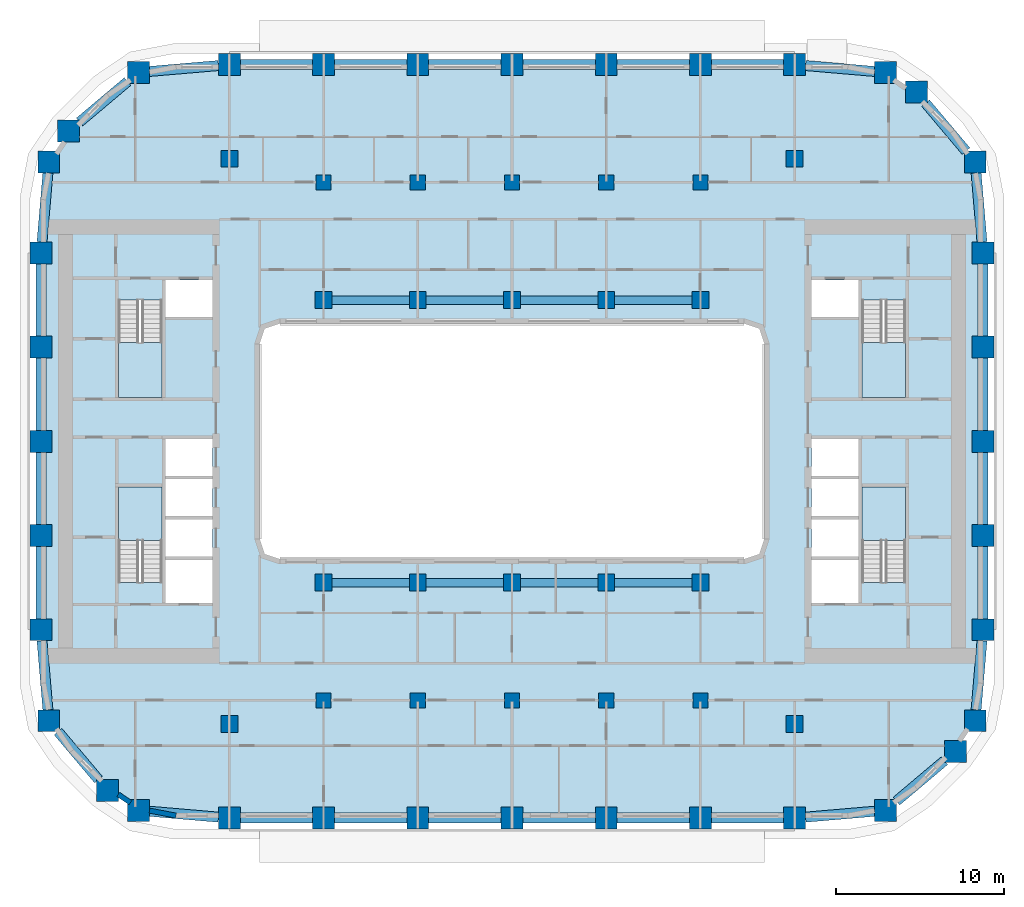
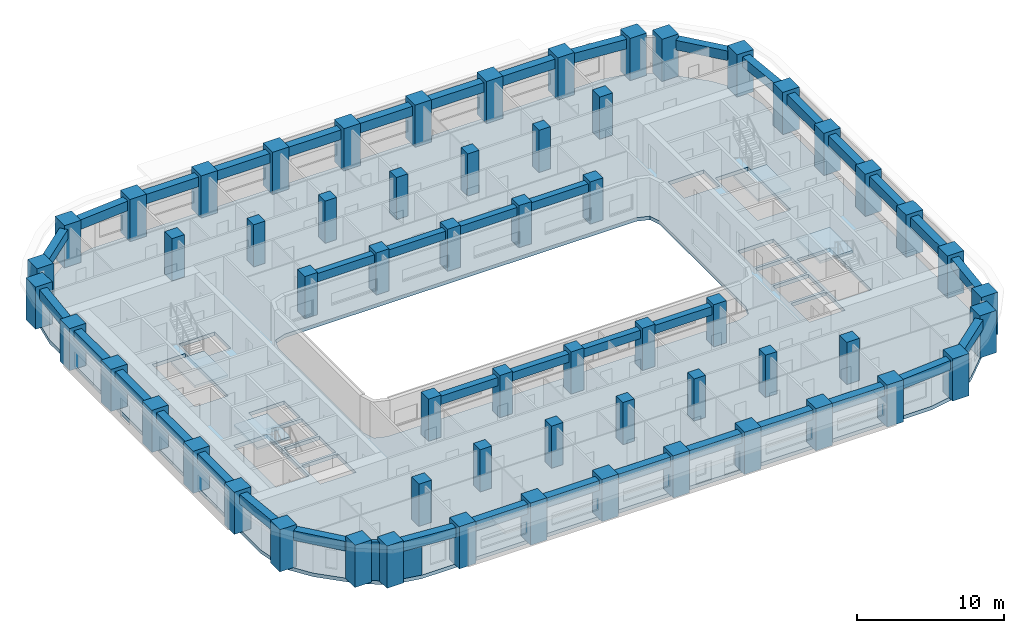
# One storey, part 1 of 21: 60 columns, 40 beams, 5 slabs, 2 walls, 4 elements without a shape of their own.
"""IFC4 building model written with IfcOpenShell, lengths in metres."""

import ifcopenshell
import ifcopenshell.guid

model = None  # the IFC model being written
_history = None  # IfcOwnerHistory: only IFC2X3 demands one
_inside = {}  # id of a spatial element -> (the spatial element, [elements in it])
_under = {}  # id of a project, library or spatial element -> (it, [spatial elements below it])
_declared = {}  # id of a project -> (the project, [libraries it declares])
_typed = {}  # id of a type object -> (the type object, [elements of that type])
_made_of = {}  # id of a material, layer set ... -> (it, [elements and type objects made of it])


def new_model(schema):
    """Start an empty IFC model of exactly this schema.

    Asked for "IFC4X3", IfcOpenShell would pick the latest addendum, in which some entities
    have other attributes; the version numbers below select the first issue.
    IFC2X3 requires an IfcOwnerHistory on every rooted entity: one is made here for all.
    """
    global model, _history
    if schema == "IFC4X3":
        model = ifcopenshell.file(schema_version=(4, 3, 0, 0))
    else:
        model = ifcopenshell.file(schema=schema)
    _inside.clear()
    _under.clear()
    _declared.clear()
    _typed.clear()
    _made_of.clear()
    _history = None
    if model.schema == "IFC2X3":
        org = make("IfcOrganization", Name="unknown")
        user = make(
            "IfcPersonAndOrganization",
            ThePerson=make("IfcPerson", FamilyName="unknown"),
            TheOrganization=org,
        )
        app = make(
            "IfcApplication",
            ApplicationDeveloper=org,
            Version="unknown",
            ApplicationFullName="unknown",
            ApplicationIdentifier="unknown",
        )
        _history = make(
            "IfcOwnerHistory",
            OwningUser=user,
            OwningApplication=app,
            ChangeAction="ADDED",
            CreationDate=0,
        )
    return model


def make(cls, **values):
    """One entity of the class cls with the attributes given. An attribute that is None is left unset."""
    return model.create_entity(
        cls, **{name: value for name, value in values.items() if value is not None}
    )


def rooted(cls, **values):
    """An entity with a GlobalId (a new one), such as an element, a storey or a relation."""
    return make(cls, GlobalId=ifcopenshell.guid.new(), OwnerHistory=_history, **values)


def si_unit(unit_type, name, prefix=None):
    """IfcSIUnit, for example si_unit("LENGTHUNIT", "METRE", prefix="MILLI")."""
    return make("IfcSIUnit", UnitType=unit_type, Prefix=prefix, Name=name)


def assignment(units):
    """IfcUnitAssignment: the units of a project."""
    return None if units is None else make("IfcUnitAssignment", Units=units)


def point(xyz):
    """IfcCartesianPoint."""
    return None if xyz is None else make("IfcCartesianPoint", Coordinates=xyz)


def direction(xyz):
    """IfcDirection."""
    return None if xyz is None else make("IfcDirection", DirectionRatios=xyz)


def frame(location, z_axis=None, x_axis=None):
    """IfcAxis2Placement3D, a coordinate frame: its origin and axes. An axis left out is left unset."""
    return make(
        "IfcAxis2Placement3D",
        Location=point(location),
        Axis=direction(z_axis),
        RefDirection=direction(x_axis),
    )


def frame_2d(location, x_axis=None):
    """IfcAxis2Placement2D, a coordinate frame in the plane: its origin and x axis."""
    return make(
        "IfcAxis2Placement2D", Location=point(location), RefDirection=direction(x_axis)
    )


def origin():
    """The frame at (0, 0, 0) with its axes left unset."""
    return frame((0.0, 0.0, 0.0))


def origin_2d():
    """The frame at (0, 0) in the plane with its x axis left unset."""
    return frame_2d((0.0, 0.0))


def place(relative_to, where):
    """IfcLocalPlacement: puts the frame where relative to a parent placement (None: the world)."""
    return make(
        "IfcLocalPlacement", PlacementRelTo=relative_to, RelativePlacement=where
    )


def context(
    kind, dimensions, precision=None, world=None, true_north=None, identifier=None
):
    """IfcGeometricRepresentationContext, for example the 3D "Model" context."""
    return make(
        "IfcGeometricRepresentationContext",
        ContextIdentifier=identifier,
        ContextType=kind,
        CoordinateSpaceDimension=dimensions,
        Precision=precision,
        WorldCoordinateSystem=world,
        TrueNorth=true_north,
    )


def subcontext(parent, identifier, kind, view, scale=None):
    """IfcGeometricRepresentationSubContext, for example "Body" below "Model"."""
    return make(
        "IfcGeometricRepresentationSubContext",
        ContextIdentifier=identifier,
        ContextType=kind,
        ParentContext=parent,
        TargetScale=scale,
        TargetView=view,
    )


def project(units=None, contexts=None):
    """IfcProject with its units and contexts."""
    return rooted(
        "IfcProject",
        Name="project",
        RepresentationContexts=contexts,
        UnitsInContext=assignment(units),
    )


def spatial(cls, under=None, at=None, **own):
    """A site, building, storey or space (cls), placed at a placement, below another one or the project."""
    s = rooted(cls, ObjectPlacement=at, **own)
    if under is not None:
        _under.setdefault(under.id(), (under, []))[1].append(s)
    return s


def polyline(points):
    """IfcPolyline through the points."""
    return make("IfcPolyline", Points=[point(p) for p in points])


def profile(cls, at=None, kind="AREA", **sizes):
    """A parametric profile (cls). Its sizes go by their IFC names, for example OverallWidth=200.0."""
    return make(cls, ProfileType=kind, Position=at, **sizes)


def rectangle(**sizes):
    """IfcRectangleProfileDef."""
    return profile("IfcRectangleProfileDef", **sizes)


def outline(outer, holes=None, kind="AREA"):
    """IfcArbitraryClosedProfileDef: a profile drawn as a closed curve; with holes, ...WithVoids."""
    if holes is None:
        return make("IfcArbitraryClosedProfileDef", ProfileType=kind, OuterCurve=outer)
    return make(
        "IfcArbitraryProfileDefWithVoids",
        ProfileType=kind,
        OuterCurve=outer,
        InnerCurves=holes,
    )


def extrude(swept, where, along, depth):
    """IfcExtrudedAreaSolid: the profile swept, set in the frame where, extruded along a direction by depth."""
    return make(
        "IfcExtrudedAreaSolid",
        SweptArea=swept,
        Position=where,
        ExtrudedDirection=direction(along),
        Depth=depth,
    )


def shape(context_of_items, identifier, shape_type, items):
    """IfcShapeRepresentation: the items that make up one representation, for example the "Body"."""
    return make(
        "IfcShapeRepresentation",
        ContextOfItems=context_of_items,
        RepresentationIdentifier=identifier,
        RepresentationType=shape_type,
        Items=items,
    )


def material(Name=None, Category=None):
    """IfcMaterial."""
    return make("IfcMaterial", Name=Name, Category=Category)


def layer(
    of_material, thickness, ventilated=None, Name=None, Category=None, Priority=None
):
    """IfcMaterialLayer: one layer of a wall or slab, of a material (None: an air gap)."""
    return make(
        "IfcMaterialLayer",
        Material=of_material,
        LayerThickness=thickness,
        IsVentilated=ventilated,
        Name=Name,
        Category=Category,
        Priority=Priority,
    )


def layer_set(layers, Name=None):
    """IfcMaterialLayerSet."""
    return make("IfcMaterialLayerSet", MaterialLayers=layers, LayerSetName=Name)


def material_profile(
    of_material, cross_section, Name=None, Category=None, Priority=None
):
    """IfcMaterialProfile: a cross section and its material."""
    return make(
        "IfcMaterialProfile",
        Name=Name,
        Material=of_material,
        Profile=cross_section,
        Priority=Priority,
        Category=Category,
    )


def profile_set(profiles, Name=None, composite=None):
    """IfcMaterialProfileSet."""
    return make(
        "IfcMaterialProfileSet",
        Name=Name,
        MaterialProfiles=profiles,
        CompositeProfile=composite,
    )


def made_of(thing, what):
    """Note that an element or type object is made of a material, layer set ...; save() writes the relation."""
    if what is not None:
        _made_of.setdefault(what.id(), (what, []))[1].append(thing)
    return thing


def type_object(cls, material=None, **own):
    """A type object (cls), such as IfcWallType, which elements share."""
    return made_of(rooted(cls, **own), material)


def element(
    cls,
    number,
    at=None,
    inside=None,
    cuts=None,
    type_object=None,
    material=None,
    context=None,
    identifier="Body",
    shape_type=None,
    held_by="IfcProductDefinitionShape",
    body=None,
    shapes=None,
    **own,
):
    """One element of the class cls, such as IfcWall. Its Tag is "e" and its number.

    at: its placement. inside: the storey or other place that contains it. cuts: it is an
    opening in that element (IfcRelVoidsElement). A single representation is given by context,
    identifier, shape_type and body (its items); several are given by shapes. held_by: the class
    of the entity that holds the representations. save() writes the other relations.
    """
    e = rooted(cls, Tag="e%d" % number, ObjectPlacement=at, **own)
    if body is not None:
        shapes = [shape(context, identifier, shape_type, body)]
    if shapes is not None:
        e.Representation = make(held_by, Representations=shapes)
    if inside is not None:
        _inside.setdefault(inside.id(), (inside, []))[1].append(e)
    if cuts is not None:
        rooted(
            "IfcRelVoidsElement", RelatingBuildingElement=cuts, RelatedOpeningElement=e
        )
    if type_object is not None:
        _typed.setdefault(type_object.id(), (type_object, []))[1].append(e)
    return made_of(e, material)


def aggregate(whole, parts):
    """IfcRelAggregates: a whole, such as a stair, and the parts it consists of."""
    return rooted("IfcRelAggregates", RelatingObject=whole, RelatedObjects=parts)


def save(model, path):
    """Write the relations noted so far, then the file.

    IfcRelAggregates (storeys below a building ...), IfcRelContainedInSpatialStructure (elements
    in a storey), IfcRelDefinesByType, IfcRelAssociatesMaterial and IfcRelDeclares: one each for
    every whole, place, type object, material and project.
    """
    for whole, parts in _under.values():
        aggregate(whole, parts)
    for where, things in _inside.values():
        rooted(
            "IfcRelContainedInSpatialStructure",
            RelatedElements=things,
            RelatingStructure=where,
        )
    for kind, things in _typed.values():
        rooted("IfcRelDefinesByType", RelatedObjects=things, RelatingType=kind)
    for what, things in _made_of.values():
        rooted("IfcRelAssociatesMaterial", RelatedObjects=things, RelatingMaterial=what)
    for by, libraries in _declared.values():
        rooted("IfcRelDeclares", RelatingContext=by, RelatedDefinitions=libraries)
    model.write(path)


model = new_model("IFC4")

# Units and contexts
model_context = context("Model", 3, precision=1e-05, world=origin(), true_north=direction((0.0, 1.0)))
body_context = subcontext(model_context, "Body", "Model", "MODEL_VIEW")
ifc_project = project(units=[si_unit("LENGTHUNIT", "METRE"), si_unit("AREAUNIT", "SQUARE_METRE"), si_unit("VOLUMEUNIT", "CUBIC_METRE"), si_unit("PLANEANGLEUNIT", "RADIAN"), si_unit("MASSUNIT", "GRAM", prefix="KILO")], contexts=[model_context])

# Site, building, storey
site_placement = place(None, origin())
site = spatial("IfcSite", under=ifc_project, at=site_placement, CompositionType="ELEMENT")
building_placement = place(site_placement, origin())
building = spatial("IfcBuilding", under=site, at=building_placement, Name="Kiln Ring Residences", CompositionType="ELEMENT")
storey_placement = place(building_placement, frame((0.0, 0.0, 100.800048828125)))
storey = spatial("IfcBuildingStorey", under=building, at=storey_placement, Name="L25", CompositionType="ELEMENT", Elevation=100.800048828125)

# Columns
ifc_material_1 = material(Name="Concrete C80/95", Category="concrete")
ifc_material_profile_1 = material_profile(ifc_material_1, rectangle(XDim=0.89990234375, YDim=0.89990234375, at=origin_2d()), Name="RC900x900")
ifc_profile_set_1 = profile_set([ifc_material_profile_1], Name="Concrete C80/95")
column_type_1 = type_object("IfcColumnType", Name="Corridor column RC900x900 C80/95", PredefinedType="COLUMN", material=ifc_profile_set_1)
for number, where, z_axis, x_axis, name in (
    (1, (-11.199951171875, 15.39990234375, 0.0), (0.0, 0.0, 1.0), (1.0, 0.0, 0.0), "Corridor column L25 1"),
    (2, (-5.60009765625, 15.39990234375, 0.0), (0.0, 0.0, 1.0), (1.0, 0.0, 0.0), "Corridor column L25 2"),
    (3, (0.0, 15.39990234375, 0.0), (0.0, 0.0, 1.0), (1.0, 0.0, 0.0), "Corridor column L25 3"),
    (4, (5.60009765625, 15.39990234375, 0.0), (0.0, 0.0, 1.0), (1.0, 0.0, 0.0), "Corridor column L25 4"),
    (5, (11.199951171875, 15.39990234375, 0.0), (0.0, 0.0, 1.0), (1.0, 0.0, 0.0), "Corridor column L25 5"),
    (6, (-11.199951171875, -15.39990234375, 0.0), (0.0, 0.0, 1.0), (1.0, 0.0, 0.0), "Corridor column L25 6"),
    (7, (-5.60009765625, -15.39990234375, 0.0), (0.0, 0.0, 1.0), (1.0, 0.0, 0.0), "Corridor column L25 7"),
    (8, (0.0, -15.39990234375, 0.0), (0.0, 0.0, 1.0), (1.0, 0.0, 0.0), "Corridor column L25 8"),
    (9, (5.60009765625, -15.39990234375, 0.0), (0.0, 0.0, 1.0), (1.0, 0.0, 0.0), "Corridor column L25 9"),
    (10, (11.199951171875, -15.39990234375, 0.0), (0.0, 0.0, 1.0), (1.0, 0.0, 0.0), "Corridor column L25 10"),
):
    element("IfcColumn", number, at=place(storey_placement, frame(where, z_axis=z_axis, x_axis=x_axis)), inside=storey, type_object=column_type_1, Name=name, PredefinedType="COLUMN", context=body_context, shape_type="SweptSolid", body=[
        extrude(rectangle(XDim=0.89990234375, YDim=0.89990234375, at=origin_2d()), origin(), (0.0, 0.0, 1.0), 3.5),
    ])
ifc_material_2 = material(Name="Concrete C80/95", Category="concrete")
ifc_material_profile_2 = material_profile(ifc_material_2, rectangle(XDim=1.300048828125, YDim=1.300048828125, at=origin_2d()), Name="RC1300x1300")
ifc_profile_set_2 = profile_set([ifc_material_profile_2], Name="Concrete C80/95")
column_type_2 = type_object("IfcColumnType", Name="Perimeter column RC1300x1300 C80/95", PredefinedType="COLUMN", material=ifc_profile_set_2)
for number, where, z_axis, x_axis, name in (
    (11, (-22.208740234375, -21.93798828125, 0.0), (0.0, 0.0, 1.0), (1.0, 0.0, 0.0), "Perimeter column L25 1"),
    (12, (-16.800048828125, -22.39990234375, 0.0), (0.0, 0.0, 1.0), (1.0, 0.0, 0.0), "Perimeter column L25 2"),
    (13, (-11.199951171875, -22.39990234375, 0.0), (0.0, 0.0, 1.0), (1.0, 0.0, 0.0), "Perimeter column L25 3"),
    (14, (-5.60009765625, -22.39990234375, 0.0), (0.0, 0.0, 1.0), (1.0, 0.0, 0.0), "Perimeter column L25 4"),
    (15, (0.0, -22.39990234375, 0.0), (0.0, 0.0, 1.0), (1.0, 0.0, 0.0), "Perimeter column L25 5"),
    (16, (5.60009765625, -22.39990234375, 0.0), (0.0, 0.0, 1.0), (1.0, 0.0, 0.0), "Perimeter column L25 6"),
    (17, (11.199951171875, -22.39990234375, 0.0), (0.0, 0.0, 1.0), (1.0, 0.0, 0.0), "Perimeter column L25 7"),
    (18, (16.800048828125, -22.39990234375, 0.0), (0.0, 0.0, 1.0), (1.0, 0.0, 0.0), "Perimeter column L25 8"),
    (19, (22.208740234375, -21.93798828125, 0.0), (0.0, 0.0, 1.0), (1.0, 0.0, 0.0), "Perimeter column L25 9"),
    (20, (26.35986328125, -18.440185546875, 0.0), (0.0, 0.0, 1.0), (1.0, 0.0, 0.0), "Perimeter column L25 10"),
    (21, (27.5380859375, -16.608642578125, 0.0), (0.0, 0.0, 1.0), (1.0, 0.0, 0.0), "Perimeter column L25 11"),
    (22, (28.0, -11.199951171875, 0.0), (0.0, 0.0, 1.0), (1.0, 0.0, 0.0), "Perimeter column L25 12"),
    (23, (28.0, -5.60009765625, 0.0), (0.0, 0.0, 1.0), (1.0, 0.0, 0.0), "Perimeter column L25 13"),
    (24, (28.0, 0.0, 0.0), (0.0, 0.0, 1.0), (1.0, 0.0, 0.0), "Perimeter column L25 14"),
    (25, (28.0, 5.60009765625, 0.0), (0.0, 0.0, 1.0), (1.0, 0.0, 0.0), "Perimeter column L25 15"),
    (26, (28.0, 11.199951171875, 0.0), (0.0, 0.0, 1.0), (1.0, 0.0, 0.0), "Perimeter column L25 16"),
    (27, (27.5380859375, 16.608642578125, 0.0), (0.0, 0.0, 1.0), (1.0, 0.0, 0.0), "Perimeter column L25 17"),
    (28, (24.040283203125, 20.759765625, 0.0), (0.0, 0.0, 1.0), (1.0, 0.0, 0.0), "Perimeter column L25 18"),
    (29, (22.208740234375, 21.93798828125, 0.0), (0.0, 0.0, 1.0), (1.0, 0.0, 0.0), "Perimeter column L25 19"),
    (30, (16.800048828125, 22.39990234375, 0.0), (0.0, 0.0, 1.0), (1.0, 0.0, 0.0), "Perimeter column L25 20"),
    (31, (11.199951171875, 22.39990234375, 0.0), (0.0, 0.0, 1.0), (1.0, 0.0, 0.0), "Perimeter column L25 21"),
    (32, (5.60009765625, 22.39990234375, 0.0), (0.0, 0.0, 1.0), (1.0, 0.0, 0.0), "Perimeter column L25 22"),
    (33, (0.0, 22.39990234375, 0.0), (0.0, 0.0, 1.0), (1.0, 0.0, 0.0), "Perimeter column L25 23"),
    (34, (-5.60009765625, 22.39990234375, 0.0), (0.0, 0.0, 1.0), (1.0, 0.0, 0.0), "Perimeter column L25 24"),
    (35, (-11.199951171875, 22.39990234375, 0.0), (0.0, 0.0, 1.0), (1.0, 0.0, 0.0), "Perimeter column L25 25"),
    (36, (-16.800048828125, 22.39990234375, 0.0), (0.0, 0.0, 1.0), (1.0, 0.0, 0.0), "Perimeter column L25 26"),
    (37, (-22.208740234375, 21.93798828125, 0.0), (0.0, 0.0, 1.0), (1.0, 0.0, 0.0), "Perimeter column L25 27"),
    (38, (-26.35986328125, 18.440185546875, 0.0), (0.0, 0.0, 1.0), (1.0, 0.0, 0.0), "Perimeter column L25 28"),
    (39, (-27.5380859375, 16.608642578125, 0.0), (0.0, 0.0, 1.0), (1.0, 0.0, 0.0), "Perimeter column L25 29"),
    (40, (-28.0, 11.199951171875, 0.0), (0.0, 0.0, 1.0), (1.0, 0.0, 0.0), "Perimeter column L25 30"),
    (41, (-28.0, 5.60009765625, 0.0), (0.0, 0.0, 1.0), (1.0, 0.0, 0.0), "Perimeter column L25 31"),
    (42, (-28.0, 0.0, 0.0), (0.0, 0.0, 1.0), (1.0, 0.0, 0.0), "Perimeter column L25 32"),
    (43, (-28.0, -5.60009765625, 0.0), (0.0, 0.0, 1.0), (1.0, 0.0, 0.0), "Perimeter column L25 33"),
    (44, (-28.0, -11.199951171875, 0.0), (0.0, 0.0, 1.0), (1.0, 0.0, 0.0), "Perimeter column L25 34"),
    (45, (-27.5380859375, -16.608642578125, 0.0), (0.0, 0.0, 1.0), (1.0, 0.0, 0.0), "Perimeter column L25 35"),
    (46, (-24.040283203125, -20.759765625, 0.0), (0.0, 0.0, 1.0), (1.0, 0.0, 0.0), "Perimeter column L25 36"),
):
    element("IfcColumn", number, at=place(storey_placement, frame(where, z_axis=z_axis, x_axis=x_axis)), inside=storey, type_object=column_type_2, Name=name, PredefinedType="COLUMN", context=body_context, shape_type="SweptSolid", body=[
        extrude(rectangle(XDim=1.300048828125, YDim=1.300048828125, at=origin_2d()), origin(), (0.0, 0.0, 1.0), 3.5),
    ])
ifc_material_3 = material(Name="Concrete C80/95", Category="concrete")
ifc_material_profile_3 = material_profile(ifc_material_3, rectangle(XDim=1.0, YDim=1.0, at=origin_2d()), Name="RC1000x1000")
ifc_profile_set_3 = profile_set([ifc_material_profile_3], Name="Concrete C80/95")
column_type_3 = type_object("IfcColumnType", Name="Ring column RC1000x1000 C80/95", PredefinedType="COLUMN", material=ifc_profile_set_3)
for number, where, z_axis, x_axis, name in (
    (47, (-16.800048828125, -16.800048828125, 0.0), (0.0, 0.0, 1.0), (1.0, 0.0, 0.0), "Ring column L25 1"),
    (48, (-16.800048828125, 16.800048828125, 0.0), (0.0, 0.0, 1.0), (1.0, 0.0, 0.0), "Ring column L25 2"),
    (49, (-11.199951171875, -8.39990234375, 0.0), (0.0, 0.0, 1.0), (1.0, 0.0, 0.0), "Ring column L25 3"),
    (50, (-11.199951171875, 8.39990234375, 0.0), (0.0, 0.0, 1.0), (1.0, 0.0, 0.0), "Ring column L25 4"),
    (51, (-5.60009765625, -8.39990234375, 0.0), (0.0, 0.0, 1.0), (1.0, 0.0, 0.0), "Ring column L25 5"),
    (52, (-5.60009765625, 8.39990234375, 0.0), (0.0, 0.0, 1.0), (1.0, 0.0, 0.0), "Ring column L25 6"),
    (53, (0.0, -8.39990234375, 0.0), (0.0, 0.0, 1.0), (1.0, 0.0, 0.0), "Ring column L25 7"),
    (54, (0.0, 8.39990234375, 0.0), (0.0, 0.0, 1.0), (1.0, 0.0, 0.0), "Ring column L25 8"),
    (55, (5.60009765625, -8.39990234375, 0.0), (0.0, 0.0, 1.0), (1.0, 0.0, 0.0), "Ring column L25 9"),
    (56, (5.60009765625, 8.39990234375, 0.0), (0.0, 0.0, 1.0), (1.0, 0.0, 0.0), "Ring column L25 10"),
    (57, (11.199951171875, -8.39990234375, 0.0), (0.0, 0.0, 1.0), (1.0, 0.0, 0.0), "Ring column L25 11"),
    (58, (11.199951171875, 8.39990234375, 0.0), (0.0, 0.0, 1.0), (1.0, 0.0, 0.0), "Ring column L25 12"),
    (59, (16.800048828125, -16.800048828125, 0.0), (0.0, 0.0, 1.0), (1.0, 0.0, 0.0), "Ring column L25 13"),
    (60, (16.800048828125, 16.800048828125, 0.0), (0.0, 0.0, 1.0), (1.0, 0.0, 0.0), "Ring column L25 14"),
):
    element("IfcColumn", number, at=place(storey_placement, frame(where, z_axis=z_axis, x_axis=x_axis)), inside=storey, type_object=column_type_3, Name=name, PredefinedType="COLUMN", context=body_context, shape_type="SweptSolid", body=[
        extrude(rectangle(XDim=1.0, YDim=1.0, at=origin_2d()), origin(), (0.0, 0.0, 1.0), 3.5),
    ])

# Beams
ifc_material_4 = material(Name="Concrete C50/60", Category="concrete")
ifc_material_profile_4 = material_profile(ifc_material_4, rectangle(XDim=0.5, YDim=0.699951171875, at=origin_2d()), Name="RC500x700")
ifc_profile_set_4 = profile_set([ifc_material_profile_4], Name="Concrete C50/60")
beam_type_1 = type_object("IfcBeamType", Name="Ring beam RC500x700 C50/60", PredefinedType="BEAM", material=ifc_profile_set_4)
beam_1_placement = place(storey_placement, frame((-10.699951171875, -8.39990234375, 2.849853515625), z_axis=(1.0, 0.0, 0.0), x_axis=(0.0, 1.0, 0.0)))
element("IfcBeam", 61, at=beam_1_placement, inside=storey, type_object=beam_type_1, Name="Ring beam L25 1", PredefinedType="BEAM", context=body_context, shape_type="SweptSolid", body=[
    extrude(rectangle(XDim=0.5, YDim=0.699951171875, at=origin_2d()), origin(), (0.0, 0.0, 1.0), 4.599853515625),
])
for number, where, z_axis, x_axis, name in (
    (62, (-5.10009765625, -8.39990234375, 2.849853515625), (1.0, 0.0, 0.0), (0.0, 1.0, 0.0), "Ring beam L25 2"),
    (63, (0.5, -8.39990234375, 2.849853515625), (1.0, 0.0, 0.0), (0.0, 1.0, 0.0), "Ring beam L25 3"),
):
    element("IfcBeam", number, at=place(storey_placement, frame(where, z_axis=z_axis, x_axis=x_axis)), inside=storey, type_object=beam_type_1, Name=name, PredefinedType="BEAM", context=body_context, shape_type="SweptSolid", body=[
        extrude(rectangle(XDim=0.5, YDim=0.699951171875, at=origin_2d()), origin(), (0.0, 0.0, 1.0), 4.60009765625),
    ])
for number, where, z_axis, x_axis, name in (
    (64, (6.10009765625, -8.39990234375, 2.849853515625), (1.0, 0.0, 0.0), (0.0, 1.0, 0.0), "Ring beam L25 4"),
    (65, (-10.699951171875, 8.39990234375, 2.849853515625), (1.0, 0.0, 0.0), (0.0, 1.0, 0.0), "Ring beam L25 5"),
):
    element("IfcBeam", number, at=place(storey_placement, frame(where, z_axis=z_axis, x_axis=x_axis)), inside=storey, type_object=beam_type_1, Name=name, PredefinedType="BEAM", context=body_context, shape_type="SweptSolid", body=[
        extrude(rectangle(XDim=0.5, YDim=0.699951171875, at=origin_2d()), origin(), (0.0, 0.0, 1.0), 4.599853515625),
    ])
for number, where, z_axis, x_axis, name in (
    (66, (-5.10009765625, 8.39990234375, 2.849853515625), (1.0, 0.0, 0.0), (0.0, 1.0, 0.0), "Ring beam L25 6"),
    (67, (0.5, 8.39990234375, 2.849853515625), (1.0, 0.0, 0.0), (0.0, 1.0, 0.0), "Ring beam L25 7"),
):
    element("IfcBeam", number, at=place(storey_placement, frame(where, z_axis=z_axis, x_axis=x_axis)), inside=storey, type_object=beam_type_1, Name=name, PredefinedType="BEAM", context=body_context, shape_type="SweptSolid", body=[
        extrude(rectangle(XDim=0.5, YDim=0.699951171875, at=origin_2d()), origin(), (0.0, 0.0, 1.0), 4.60009765625),
    ])
beam_2_placement = place(storey_placement, frame((6.10009765625, 8.39990234375, 2.849853515625), z_axis=(1.0, 0.0, 0.0), x_axis=(0.0, 1.0, 0.0)))
element("IfcBeam", 68, at=beam_2_placement, inside=storey, type_object=beam_type_1, Name="Ring beam L25 8", PredefinedType="BEAM", context=body_context, shape_type="SweptSolid", body=[
    extrude(rectangle(XDim=0.5, YDim=0.699951171875, at=origin_2d()), origin(), (0.0, 0.0, 1.0), 4.599853515625),
])
ifc_material_5 = material(Name="Concrete C50/60", Category="concrete")
ifc_material_profile_5 = material_profile(ifc_material_5, rectangle(XDim=0.60009765625, YDim=0.800048828125, at=origin_2d()), Name="RC600x800")
ifc_profile_set_5 = profile_set([ifc_material_profile_5], Name="Concrete C50/60")
beam_type_2 = type_object("IfcBeamType", Name="Spandrel beam RC600x800 C50/60", PredefinedType="SPANDREL", material=ifc_profile_set_5)
beam_3_placement = place(storey_placement, frame((-21.55859375, -21.99365234375, 2.800048828125), z_axis=(0.99637423264, -0.085078719609, 0.0), x_axis=(0.085078719609, 0.99637423264, 0.0)))
element("IfcBeam", 69, at=beam_3_placement, inside=storey, type_object=beam_type_2, Name="Spandrel beam L25 1", PredefinedType="SPANDREL", context=body_context, shape_type="SweptSolid", body=[
    extrude(rectangle(XDim=0.60009765625, YDim=0.800048828125, at=origin_2d()), origin(), (0.0, 0.0, 1.0), 4.12353515625),
])
beam_4_placement = place(storey_placement, frame((-16.14990234375, -22.39990234375, 2.800048828125), z_axis=(1.0, 0.0, 0.0), x_axis=(0.0, 1.0, 0.0)))
element("IfcBeam", 70, at=beam_4_placement, inside=storey, type_object=beam_type_2, Name="Spandrel beam L25 2", PredefinedType="SPANDREL", context=body_context, shape_type="SweptSolid", body=[
    extrude(rectangle(XDim=0.60009765625, YDim=0.800048828125, at=origin_2d()), origin(), (0.0, 0.0, 1.0), 4.2998046875),
])
for number, where, z_axis, x_axis, name in (
    (71, (-10.550048828125, -22.39990234375, 2.800048828125), (1.0, 0.0, 0.0), (0.0, 1.0, 0.0), "Spandrel beam L25 3"),
    (72, (-4.949951171875, -22.39990234375, 2.800048828125), (1.0, 0.0, 0.0), (0.0, 1.0, 0.0), "Spandrel beam L25 4"),
    (73, (0.64990234375, -22.39990234375, 2.800048828125), (1.0, 0.0, 0.0), (0.0, 1.0, 0.0), "Spandrel beam L25 5"),
    (74, (6.25, -22.39990234375, 2.800048828125), (1.0, 0.0, 0.0), (0.0, 1.0, 0.0), "Spandrel beam L25 6"),
):
    element("IfcBeam", number, at=place(storey_placement, frame(where, z_axis=z_axis, x_axis=x_axis)), inside=storey, type_object=beam_type_2, Name=name, PredefinedType="SPANDREL", context=body_context, shape_type="SweptSolid", body=[
        extrude(rectangle(XDim=0.60009765625, YDim=0.800048828125, at=origin_2d()), origin(), (0.0, 0.0, 1.0), 4.300048828125),
    ])
beam_5_placement = place(storey_placement, frame((11.85009765625, -22.39990234375, 2.800048828125), z_axis=(1.0, 0.0, 0.0), x_axis=(0.0, 1.0, 0.0)))
element("IfcBeam", 75, at=beam_5_placement, inside=storey, type_object=beam_type_2, Name="Spandrel beam L25 7", PredefinedType="SPANDREL", context=body_context, shape_type="SweptSolid", body=[
    extrude(rectangle(XDim=0.60009765625, YDim=0.800048828125, at=origin_2d()), origin(), (0.0, 0.0, 1.0), 4.2998046875),
])
beam_6_placement = place(storey_placement, frame((17.449951171875, -22.344482421875, 2.800048828125), z_axis=(0.99637423264, 0.085078719609, 0.0), x_axis=(-0.085078719609, 0.99637423264, 0.0)))
element("IfcBeam", 76, at=beam_6_placement, inside=storey, type_object=beam_type_2, Name="Spandrel beam L25 8", PredefinedType="SPANDREL", context=body_context, shape_type="SweptSolid", body=[
    extrude(rectangle(XDim=0.60009765625, YDim=0.800048828125, at=origin_2d()), origin(), (0.0, 0.0, 1.0), 4.12353515625),
])
beam_7_placement = place(storey_placement, frame((22.858642578125, -21.390380859375, 2.800048828125), z_axis=(0.764720974908, 0.644361568171, 0.0), x_axis=(-0.644361568171, 0.764720974908, 0.0)))
element("IfcBeam", 77, at=beam_7_placement, inside=storey, type_object=beam_type_2, Name="Spandrel beam L25 9", PredefinedType="SPANDREL", context=body_context, shape_type="SweptSolid", body=[
    extrude(rectangle(XDim=0.60009765625, YDim=0.800048828125, at=origin_2d()), origin(), (0.0, 0.0, 1.0), 3.728271484375),
])
beam_8_placement = place(storey_placement, frame((27.593505859375, -15.958740234375, 2.800048828125), z_axis=(0.0851374964, 0.996369212043, 0.0), x_axis=(-0.996369212043, 0.0851374964, 0.0)))
element("IfcBeam", 78, at=beam_8_placement, inside=storey, type_object=beam_type_2, Name="Spandrel beam L25 10", PredefinedType="SPANDREL", context=body_context, shape_type="SweptSolid", body=[
    extrude(rectangle(XDim=0.60009765625, YDim=0.800048828125, at=origin_2d()), origin(), (0.0, 0.0, 1.0), 4.12353515625),
])
for number, where, z_axis, x_axis, name in (
    (79, (28.0, -10.550048828125, 2.800048828125), (0.0, 1.0, 0.0), (-1.0, 0.0, 0.0), "Spandrel beam L25 11"),
    (80, (28.0, -4.949951171875, 2.800048828125), (0.0, 1.0, 0.0), (-1.0, 0.0, 0.0), "Spandrel beam L25 12"),
    (81, (28.0, 0.64990234375, 2.800048828125), (0.0, 1.0, 0.0), (-1.0, 0.0, 0.0), "Spandrel beam L25 13"),
    (82, (28.0, 6.25, 2.800048828125), (0.0, 1.0, 0.0), (-1.0, 0.0, 0.0), "Spandrel beam L25 14"),
):
    element("IfcBeam", number, at=place(storey_placement, frame(where, z_axis=z_axis, x_axis=x_axis)), inside=storey, type_object=beam_type_2, Name=name, PredefinedType="SPANDREL", context=body_context, shape_type="SweptSolid", body=[
        extrude(rectangle(XDim=0.60009765625, YDim=0.800048828125, at=origin_2d()), origin(), (0.0, 0.0, 1.0), 4.300048828125),
    ])
beam_9_placement = place(storey_placement, frame((27.944580078125, 11.85009765625, 2.800048828125), z_axis=(-0.0851374964, 0.996369212043, 0.0), x_axis=(-0.996369212043, -0.0851374964, 0.0)))
element("IfcBeam", 83, at=beam_9_placement, inside=storey, type_object=beam_type_2, Name="Spandrel beam L25 15", PredefinedType="SPANDREL", context=body_context, shape_type="SweptSolid", body=[
    extrude(rectangle(XDim=0.60009765625, YDim=0.800048828125, at=origin_2d()), origin(), (0.0, 0.0, 1.0), 4.12353515625),
])
beam_10_placement = place(storey_placement, frame((26.990478515625, 17.2587890625, 2.800048828125), z_axis=(-0.644399860611, 0.764688707674, 0.0), x_axis=(-0.764688707674, -0.644399860611, 0.0)))
element("IfcBeam", 84, at=beam_10_placement, inside=storey, type_object=beam_type_2, Name="Spandrel beam L25 16", PredefinedType="SPANDREL", context=body_context, shape_type="SweptSolid", body=[
    extrude(rectangle(XDim=0.60009765625, YDim=0.800048828125, at=origin_2d()), origin(), (0.0, 0.0, 1.0), 3.728515625),
])
beam_11_placement = place(storey_placement, frame((21.55859375, 21.99365234375, 2.800048828125), z_axis=(-0.99637423264, 0.085078719609, 0.0), x_axis=(-0.085078719609, -0.99637423264, 0.0)))
element("IfcBeam", 85, at=beam_11_placement, inside=storey, type_object=beam_type_2, Name="Spandrel beam L25 17", PredefinedType="SPANDREL", context=body_context, shape_type="SweptSolid", body=[
    extrude(rectangle(XDim=0.60009765625, YDim=0.800048828125, at=origin_2d()), origin(), (0.0, 0.0, 1.0), 4.12353515625),
])
beam_12_placement = place(storey_placement, frame((16.14990234375, 22.39990234375, 2.800048828125), z_axis=(-1.0, 0.0, 0.0), x_axis=(0.0, -1.0, 0.0)))
element("IfcBeam", 86, at=beam_12_placement, inside=storey, type_object=beam_type_2, Name="Spandrel beam L25 18", PredefinedType="SPANDREL", context=body_context, shape_type="SweptSolid", body=[
    extrude(rectangle(XDim=0.60009765625, YDim=0.800048828125, at=origin_2d()), origin(), (0.0, 0.0, 1.0), 4.2998046875),
])
for number, where, z_axis, x_axis, name in (
    (87, (10.550048828125, 22.39990234375, 2.800048828125), (-1.0, 0.0, 0.0), (0.0, -1.0, 0.0), "Spandrel beam L25 19"),
    (88, (4.949951171875, 22.39990234375, 2.800048828125), (-1.0, 0.0, 0.0), (0.0, -1.0, 0.0), "Spandrel beam L25 20"),
    (89, (-0.64990234375, 22.39990234375, 2.800048828125), (-1.0, 0.0, 0.0), (0.0, -1.0, 0.0), "Spandrel beam L25 21"),
    (90, (-6.25, 22.39990234375, 2.800048828125), (-1.0, 0.0, 0.0), (0.0, -1.0, 0.0), "Spandrel beam L25 22"),
):
    element("IfcBeam", number, at=place(storey_placement, frame(where, z_axis=z_axis, x_axis=x_axis)), inside=storey, type_object=beam_type_2, Name=name, PredefinedType="SPANDREL", context=body_context, shape_type="SweptSolid", body=[
        extrude(rectangle(XDim=0.60009765625, YDim=0.800048828125, at=origin_2d()), origin(), (0.0, 0.0, 1.0), 4.300048828125),
    ])
beam_13_placement = place(storey_placement, frame((-11.85009765625, 22.39990234375, 2.800048828125), z_axis=(-1.0, 0.0, 0.0), x_axis=(0.0, -1.0, 0.0)))
element("IfcBeam", 91, at=beam_13_placement, inside=storey, type_object=beam_type_2, Name="Spandrel beam L25 23", PredefinedType="SPANDREL", context=body_context, shape_type="SweptSolid", body=[
    extrude(rectangle(XDim=0.60009765625, YDim=0.800048828125, at=origin_2d()), origin(), (0.0, 0.0, 1.0), 4.2998046875),
])
beam_14_placement = place(storey_placement, frame((-17.449951171875, 22.344482421875, 2.800048828125), z_axis=(-0.99637423264, -0.085078719609, 0.0), x_axis=(0.085078719609, -0.99637423264, 0.0)))
element("IfcBeam", 92, at=beam_14_placement, inside=storey, type_object=beam_type_2, Name="Spandrel beam L25 24", PredefinedType="SPANDREL", context=body_context, shape_type="SweptSolid", body=[
    extrude(rectangle(XDim=0.60009765625, YDim=0.800048828125, at=origin_2d()), origin(), (0.0, 0.0, 1.0), 4.12353515625),
])
beam_15_placement = place(storey_placement, frame((-22.858642578125, 21.390380859375, 2.800048828125), z_axis=(-0.764720974908, -0.644361568171, 0.0), x_axis=(0.644361568171, -0.764720974908, 0.0)))
element("IfcBeam", 93, at=beam_15_placement, inside=storey, type_object=beam_type_2, Name="Spandrel beam L25 25", PredefinedType="SPANDREL", context=body_context, shape_type="SweptSolid", body=[
    extrude(rectangle(XDim=0.60009765625, YDim=0.800048828125, at=origin_2d()), origin(), (0.0, 0.0, 1.0), 3.728271484375),
])
beam_16_placement = place(storey_placement, frame((-27.593505859375, 15.958740234375, 2.800048828125), z_axis=(-0.0851374964, -0.996369212043, 0.0), x_axis=(0.996369212043, -0.0851374964, 0.0)))
element("IfcBeam", 94, at=beam_16_placement, inside=storey, type_object=beam_type_2, Name="Spandrel beam L25 26", PredefinedType="SPANDREL", context=body_context, shape_type="SweptSolid", body=[
    extrude(rectangle(XDim=0.60009765625, YDim=0.800048828125, at=origin_2d()), origin(), (0.0, 0.0, 1.0), 4.12353515625),
])
for number, where, z_axis, x_axis, name in (
    (95, (-28.0, 10.550048828125, 2.800048828125), (0.0, -1.0, 0.0), (1.0, 0.0, 0.0), "Spandrel beam L25 27"),
    (96, (-28.0, 4.949951171875, 2.800048828125), (0.0, -1.0, 0.0), (1.0, 0.0, 0.0), "Spandrel beam L25 28"),
    (97, (-28.0, -0.64990234375, 2.800048828125), (0.0, -1.0, 0.0), (1.0, 0.0, 0.0), "Spandrel beam L25 29"),
    (98, (-28.0, -6.25, 2.800048828125), (0.0, -1.0, 0.0), (1.0, 0.0, 0.0), "Spandrel beam L25 30"),
):
    element("IfcBeam", number, at=place(storey_placement, frame(where, z_axis=z_axis, x_axis=x_axis)), inside=storey, type_object=beam_type_2, Name=name, PredefinedType="SPANDREL", context=body_context, shape_type="SweptSolid", body=[
        extrude(rectangle(XDim=0.60009765625, YDim=0.800048828125, at=origin_2d()), origin(), (0.0, 0.0, 1.0), 4.300048828125),
    ])
beam_17_placement = place(storey_placement, frame((-27.944580078125, -11.85009765625, 2.800048828125), z_axis=(0.0851374964, -0.996369212043, 0.0), x_axis=(0.996369212043, 0.0851374964, 0.0)))
element("IfcBeam", 99, at=beam_17_placement, inside=storey, type_object=beam_type_2, Name="Spandrel beam L25 31", PredefinedType="SPANDREL", context=body_context, shape_type="SweptSolid", body=[
    extrude(rectangle(XDim=0.60009765625, YDim=0.800048828125, at=origin_2d()), origin(), (0.0, 0.0, 1.0), 4.12353515625),
])
beam_18_placement = place(storey_placement, frame((-26.990478515625, -17.2587890625, 2.800048828125), z_axis=(0.644399860611, -0.764688707674, 0.0), x_axis=(0.764688707674, 0.644399860611, 0.0)))
element("IfcBeam", 100, at=beam_18_placement, inside=storey, type_object=beam_type_2, Name="Spandrel beam L25 32", PredefinedType="SPANDREL", context=body_context, shape_type="SweptSolid", body=[
    extrude(rectangle(XDim=0.60009765625, YDim=0.800048828125, at=origin_2d()), origin(), (0.0, 0.0, 1.0), 3.728515625),
])

# Stair, slab
ifc_material_6 = material(Name="Concrete C40/50", Category="concrete")
stair_type = type_object("IfcStairType", Name="CORE-STAIR", PredefinedType="HALF_TURN_STAIR", material=ifc_material_6)
placement_1 = place(storey_placement, origin())
stair_1 = element("IfcStair", 101, at=placement_1, inside=storey, type_object=stair_type, Name="L25 stair W-STN", PredefinedType="HALF_TURN_STAIR")
ifc_material_7 = material(Name="Concrete C40/50", Category="concrete")
ifc_layer_1 = layer(ifc_material_7, 0.199951171875)
ifc_layer_set_1 = layer_set([ifc_layer_1], Name="CORE-STAIR-LANDING")
slab_type_1 = type_object("IfcSlabType", Name="CORE-STAIR-LANDING", PredefinedType="LANDING", material=ifc_layer_set_1)
placement_2 = place(storey_placement, frame((0.0, 0.0, 1.550048828125)))
slab_1 = element("IfcSlab", 102, at=placement_2, type_object=slab_type_1, Name="W-STN landing 1", PredefinedType="LANDING", context=body_context, shape_type="SweptSolid", body=[
    extrude(outline(polyline([(-23.39990234375, 5.8798828125), (-23.39990234375, 2.60009765625), (-20.800048828125, 2.60009765625), (-20.800048828125, 5.8798828125), (-23.39990234375, 5.8798828125)])), origin(), (0.0, 0.0, 1.0), 0.199951171875),
])
aggregate(stair_1, [slab_1])

stair_2 = element("IfcStair", 103, at=placement_1, inside=storey, type_object=stair_type, Name="L25 stair W-STS", PredefinedType="HALF_TURN_STAIR")
slab_2 = element("IfcSlab", 104, at=placement_2, type_object=slab_type_1, Name="W-STS landing 1", PredefinedType="LANDING", context=body_context, shape_type="SweptSolid", body=[
    extrude(outline(polyline([(-20.800048828125, -5.8798828125), (-20.800048828125, -2.699951171875), (-23.39990234375, -2.699951171875), (-23.39990234375, -5.8798828125), (-20.800048828125, -5.8798828125)])), origin(), (0.0, 0.0, 1.0), 0.199951171875),
])
aggregate(stair_2, [slab_2])

stair_3 = element("IfcStair", 105, at=placement_1, inside=storey, type_object=stair_type, Name="L25 stair E-STN", PredefinedType="HALF_TURN_STAIR")
slab_3 = element("IfcSlab", 106, at=placement_2, type_object=slab_type_1, Name="E-STN landing 1", PredefinedType="LANDING", context=body_context, shape_type="SweptSolid", body=[
    extrude(outline(polyline([(20.800048828125, 5.8798828125), (20.800048828125, 2.60009765625), (23.39990234375, 2.60009765625), (23.39990234375, 5.8798828125), (20.800048828125, 5.8798828125)])), origin(), (0.0, 0.0, 1.0), 0.199951171875),
])
aggregate(stair_3, [slab_3])

stair_4 = element("IfcStair", 107, at=placement_1, inside=storey, type_object=stair_type, Name="L25 stair E-STS", PredefinedType="HALF_TURN_STAIR")
slab_4 = element("IfcSlab", 108, at=placement_2, type_object=slab_type_1, Name="E-STS landing 1", PredefinedType="LANDING", context=body_context, shape_type="SweptSolid", body=[
    extrude(outline(polyline([(23.39990234375, -5.8798828125), (23.39990234375, -2.699951171875), (20.800048828125, -2.699951171875), (20.800048828125, -5.8798828125), (23.39990234375, -5.8798828125)])), origin(), (0.0, 0.0, 1.0), 0.199951171875),
])
aggregate(stair_4, [slab_4])

# Slab
ifc_material_8 = material(Name="Concrete C40/50", Category="concrete")
ifc_layer_2 = layer(ifc_material_8, 0.300048828125)
ifc_layer_set_2 = layer_set([ifc_layer_2], Name="Floor slab 300")
slab_type_2 = type_object("IfcSlabType", Name="Floor slab 300", PredefinedType="FLOOR", material=ifc_layer_set_2)
slab_5_placement = place(storey_placement, frame((0.0, 0.0, -0.300048828125)))
element("IfcSlab", 109, at=slab_5_placement, inside=storey, type_object=slab_type_2, Name="Floor slab L25 1", PredefinedType="FLOOR", context=body_context, shape_type="SweptSolid", body=[
    extrude(outline(polyline([(-26.302978515625, -18.4970703125), (-24.09716796875, -20.702880859375), (-22.224365234375, -21.975830078125), (-20.0, -22.39990234375), (20.0, -22.39990234375), (22.224365234375, -21.975830078125), (24.09716796875, -20.702880859375), (26.302978515625, -18.4970703125), (27.57568359375, -16.624267578125), (28.0, -14.39990234375), (28.0, 14.39990234375), (27.57568359375, 16.624267578125), (26.302978515625, 18.4970703125), (24.09716796875, 20.702880859375), (22.224365234375, 21.975830078125), (20.0, 22.39990234375), (-20.0, 22.39990234375), (-22.224365234375, 21.975830078125), (-24.09716796875, 20.702880859375), (-26.302978515625, 18.4970703125), (-27.57568359375, 16.624267578125), (-28.0, 14.39990234375), (-28.0, -14.39990234375), (-27.57568359375, -16.624267578125), (-26.302978515625, -18.4970703125)]), holes=[polyline([(-14.699951171875, -6.699951171875), (-15.0, -5.800048828125), (-15.0, 5.800048828125), (-14.699951171875, 6.699951171875), (-13.800048828125, 7.0), (13.800048828125, 7.0), (14.699951171875, 6.699951171875), (15.0, 5.800048828125), (15.0, -5.800048828125), (14.699951171875, -6.699951171875), (13.800048828125, -7.0), (-13.800048828125, -7.0), (-14.699951171875, -6.699951171875)]), polyline([(20.800048828125, -8.39794921875), (20.800048828125, -2.699951171875), (23.39990234375, -2.699951171875), (23.39990234375, -8.39794921875), (20.800048828125, -8.39794921875)]), polyline([(20.800048828125, 2.60009765625), (20.800048828125, 8.39794921875), (23.39990234375, 8.39794921875), (23.39990234375, 2.60009765625), (20.800048828125, 2.60009765625)]), polyline([(17.800048828125, -6.85009765625), (17.800048828125, -4.64990234375), (20.60009765625, -4.64990234375), (20.60009765625, -6.85009765625), (17.800048828125, -6.85009765625)]), polyline([(17.800048828125, -4.449951171875), (17.800048828125, -2.25), (20.60009765625, -2.25), (20.60009765625, -4.449951171875), (17.800048828125, -4.449951171875)]), polyline([(17.800048828125, -2.050048828125), (17.800048828125, 0.14990234375), (20.60009765625, 0.14990234375), (20.60009765625, -2.050048828125), (17.800048828125, -2.050048828125)]), polyline([(17.800048828125, 7.39990234375), (17.800048828125, 9.60009765625), (20.60009765625, 9.60009765625), (20.60009765625, 7.39990234375), (17.800048828125, 7.39990234375)]), polyline([(20.60009765625, -9.60009765625), (17.800048828125, -9.60009765625), (17.800048828125, -7.050048828125), (20.60009765625, -7.050048828125), (20.60009765625, -9.60009765625)]), polyline([(-17.800048828125, -7.050048828125), (-17.800048828125, -9.60009765625), (-20.60009765625, -9.60009765625), (-20.60009765625, -7.050048828125), (-17.800048828125, -7.050048828125)]), polyline([(-17.800048828125, -6.85009765625), (-20.60009765625, -6.85009765625), (-20.60009765625, -4.64990234375), (-17.800048828125, -4.64990234375), (-17.800048828125, -6.85009765625)]), polyline([(-17.800048828125, -4.449951171875), (-20.60009765625, -4.449951171875), (-20.60009765625, -2.25), (-17.800048828125, -2.25), (-17.800048828125, -4.449951171875)]), polyline([(-17.800048828125, -2.050048828125), (-20.60009765625, -2.050048828125), (-20.60009765625, 0.14990234375), (-17.800048828125, 0.14990234375), (-17.800048828125, -2.050048828125)]), polyline([(-17.800048828125, 7.39990234375), (-20.60009765625, 7.39990234375), (-20.60009765625, 9.60009765625), (-17.800048828125, 9.60009765625), (-17.800048828125, 7.39990234375)]), polyline([(-20.800048828125, -8.39794921875), (-23.39990234375, -8.39794921875), (-23.39990234375, -2.699951171875), (-20.800048828125, -2.699951171875), (-20.800048828125, -8.39794921875)]), polyline([(-20.800048828125, 2.60009765625), (-23.39990234375, 2.60009765625), (-23.39990234375, 8.39794921875), (-20.800048828125, 8.39794921875), (-20.800048828125, 2.60009765625)])]), origin(), (0.0, 0.0, 1.0), 0.300048828125),
])

# Walls
ifc_material_9 = material(Name="Brick masonry, dark clay brick", Category="masonry")
ifc_layer_3 = layer(ifc_material_9, 0.300048828125)
ifc_layer_set_3 = layer_set([ifc_layer_3], Name="EW-300 BRICK WALL")
wall_type = type_object("IfcWallType", Name="EW-300 BRICK WALL", PredefinedType="SOLIDWALL", material=ifc_layer_set_3)
wall_1_placement = place(storey_placement, frame((-23.409912109375, -20.988525390625, 0.0), z_axis=(0.0, 0.0, 1.0), x_axis=(0.827050703543, -0.562127328787, 0.0)))
element("IfcWall", 110, at=wall_1_placement, inside=storey, type_object=wall_type, Name="Facade wall L25 2", PredefinedType="SOLIDWALL", context=body_context, shape_type="SweptSolid", body=[
    extrude(rectangle(XDim=0.877197265625, YDim=0.300048828125, at=frame_2d((0.4384765625, 0.0))), origin(), (0.0, 0.0, 1.0), 3.199951171875),
])
wall_2_placement = place(storey_placement, frame((-21.549560546875, -21.95166015625, 0.0), z_axis=(0.0, 0.0, 1.0), x_axis=(0.982278644094, -0.187426426519, 0.0)))
element("IfcWall", 111, at=wall_2_placement, inside=storey, type_object=wall_type, Name="Facade wall L25 3", PredefinedType="SOLIDWALL", context=body_context, shape_type="SweptSolid", body=[
    extrude(rectangle(XDim=1.606201171875, YDim=0.300048828125, at=frame_2d((0.80322265625, 0.0))), origin(), (0.0, 0.0, 1.0), 2.39990234375),
])

save(model, "model.ifc")
